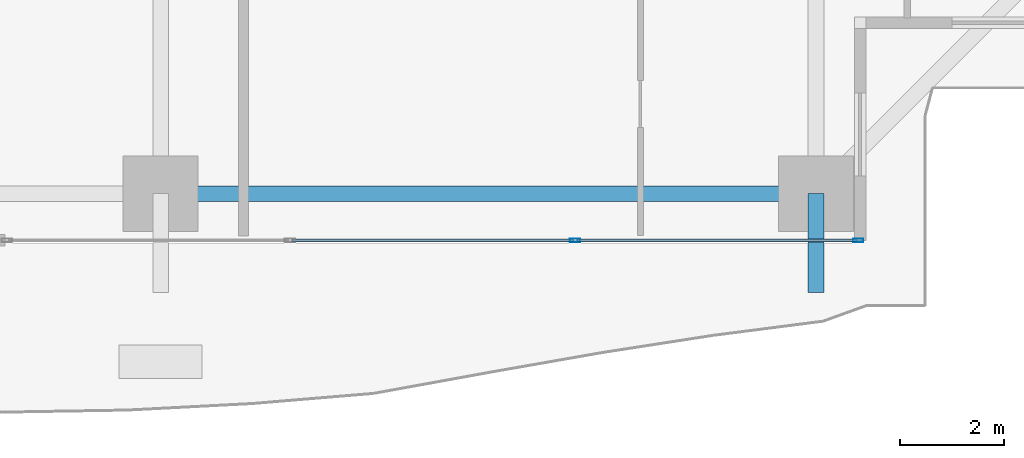
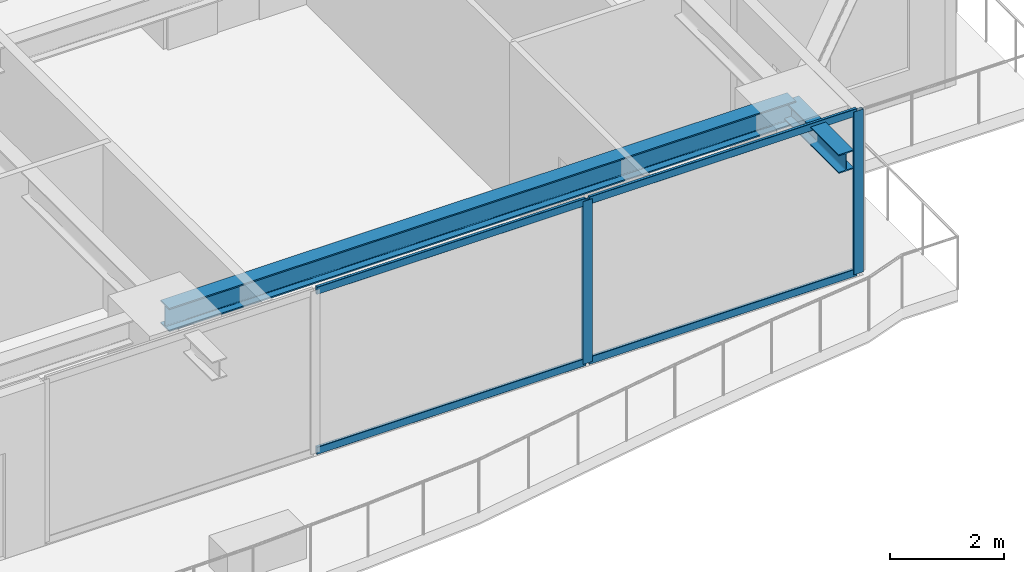
# One storey, part 11 of 39: 6 members, 2 beams, 1 element without a shape of its own.
"""IFC4 building model written with IfcOpenShell, lengths in metres."""

from ifc_helpers import new_model, si_unit, direction, frame, origin, origin_2d, place, context, subcontext, project, spatial, hollow_rectangle, i_section, extrude, source, transform, mapped, material, layer, layer_set, material_profile, profile_set, type_object, element, aggregate, save


model = new_model("IFC4")

# Units and contexts
model_context = context("Model", 3, precision=1e-05, world=origin(), true_north=direction((0.0, 1.0)))
body_context = subcontext(model_context, "Body", "Model", "MODEL_VIEW")
ifc_project = project(units=[si_unit("LENGTHUNIT", "METRE"), si_unit("AREAUNIT", "SQUARE_METRE"), si_unit("VOLUMEUNIT", "CUBIC_METRE"), si_unit("PLANEANGLEUNIT", "RADIAN"), si_unit("MASSUNIT", "GRAM", prefix="KILO")], contexts=[model_context])

# Site, building, storey
site_placement = place(None, origin())
site = spatial("IfcSite", under=ifc_project, at=site_placement, CompositionType="ELEMENT")
building_placement = place(site_placement, origin())
building = spatial("IfcBuilding", under=site, at=building_placement, Name="Serunith Strait Residences", CompositionType="ELEMENT")
storey_placement = place(building_placement, frame((0.0, 0.0, 64.199951171875)))
storey = spatial("IfcBuildingStorey", under=building, at=storey_placement, Name="L15", CompositionType="ELEMENT", Elevation=64.199951171875)

# Beams
ifc_material_1 = material(Name="Steel S355J2", Category="steel")
ifc_material_profile_1 = material_profile(ifc_material_1, i_section(OverallWidth=0.300048828125, OverallDepth=0.5, WebThickness=0.014404296875, FlangeThickness=0.028076171875, FilletRadius=0.027099609375, at=origin_2d()), Name="HEB 500")
ifc_profile_set_1 = profile_set([ifc_material_profile_1], Name="Steel S355J2")
beam_type_1 = type_object("IfcBeamType", Name="BM-HEB500", PredefinedType="BEAM", material=ifc_profile_set_1)
shared_shape_1 = source(origin(), body_context, "Body", "SweptSolid", [
    extrude(i_section(OverallWidth=0.300048828125, OverallDepth=0.5, WebThickness=0.014404296875, FlangeThickness=0.028076171875, FilletRadius=0.027099609375, at=origin_2d()), origin(), (0.0, 0.0, 1.0), 12.650146484375),
])
beam_1_placement = place(storey_placement, frame((36.89990234375, 1.10009765625, 3.237060546875), z_axis=(1.0, 0.0, 0.0), x_axis=(0.0, 1.0, 0.0)))
element("IfcBeam", 1, at=beam_1_placement, inside=storey, type_object=beam_type_1, Name="L15 Perimeter Ring Beam 03", PredefinedType="BEAM", context=body_context, shape_type="MappedRepresentation", body=[
    mapped(shared_shape_1, transform((0.0, 0.0, 0.0), scale=1.0)),
])
ifc_material_profile_2 = material_profile(ifc_material_1, i_section(OverallWidth=0.300048828125, OverallDepth=0.39990234375, WebThickness=0.013427734375, FlangeThickness=0.02392578125, FilletRadius=0.027099609375, at=origin_2d()), Name="HEB 400")
ifc_profile_set_2 = profile_set([ifc_material_profile_2], Name="Steel S355J2")
beam_type_2 = type_object("IfcBeamType", Name="BM-HEB400", PredefinedType="BEAM", material=ifc_profile_set_2)
shared_shape_2 = source(origin(), body_context, "Body", "SweptSolid", [
    extrude(i_section(OverallWidth=0.300048828125, OverallDepth=0.39990234375, WebThickness=0.013427734375, FlangeThickness=0.02392578125, FilletRadius=0.027099609375, at=origin_2d()), origin(), (0.0, 0.0, 1.0), 1.91015625),
])
beam_2_placement = place(storey_placement, frame((49.550048828125, 1.10009765625, 3.257080078125), z_axis=(0.0, -1.0, 0.0), x_axis=(1.0, 0.0, 0.0)))
element("IfcBeam", 2, at=beam_2_placement, inside=storey, type_object=beam_type_2, Name="L16 Cantilevered Balcony Rib TC-S4", PredefinedType="BEAM", context=body_context, shape_type="MappedRepresentation", body=[
    mapped(shared_shape_2, transform((0.0, 0.0, 0.0), scale=1.0)),
])

# Curtain wall, members
ifc_material_2 = material(Name="Pale-Champagne Anodised Aluminium", Category="aluminium")
ifc_layer = layer(ifc_material_2, 0.199951171875, Name="Pale-Champagne Anodised Aluminium")
ifc_layer_set = layer_set([ifc_layer], Name="Pale-Champagne Anodised Aluminium")
curtain_wall_type = type_object("IfcCurtainWallType", Name="CW-SYS1", PredefinedType="NOTDEFINED", material=ifc_layer_set)
curtain_wall_placement = place(storey_placement, origin())
curtain_wall = element("IfcCurtainWall", 3, at=curtain_wall_placement, inside=storey, type_object=curtain_wall_type, Name="L15 S Unitised Fritted Curtain Wall", PredefinedType="NOTDEFINED")
ifc_material_profile_3 = material_profile(ifc_material_2, hollow_rectangle(XDim=0.070068359375, YDim=0.199951171875, WallThickness=0.00390625, InnerFilletRadius=0.006103515625, OuterFilletRadius=0.010009765625, at=origin_2d()), Name="ALU 200x70x4")
ifc_profile_set_3 = profile_set([ifc_material_profile_3], Name="Pale-Champagne Anodised Aluminium")
member_type_1 = type_object("IfcMemberType", Name="CW-SYS1-MULL", PredefinedType="MULLION", material=ifc_profile_set_3)
shared_shape_3 = source(origin(), body_context, "Body", "SweptSolid", [
    extrude(hollow_rectangle(XDim=0.070068359375, YDim=0.199951171875, WallThickness=0.00390625, InnerFilletRadius=0.006103515625, OuterFilletRadius=0.010009765625, at=origin_2d()), origin(), (0.0, 0.0, 1.0), 3.47509765625),
])
member_1_placement = place(storey_placement, frame((44.89990234375, 0.199951171875, 0.0), z_axis=(0.0, 0.0, 1.0), x_axis=(0.0, 1.0, 0.0)))
member_1 = element("IfcMember", 4, at=member_1_placement, type_object=member_type_1, Name="CW-1 mullion 3", PredefinedType="MULLION", context=body_context, shape_type="MappedRepresentation", body=[
    mapped(shared_shape_3, transform((0.0, 0.0, 0.0), scale=1.0)),
])
member_2_placement = place(storey_placement, frame((50.364990234375, 0.199951171875, 0.0), z_axis=(0.0, 0.0, 1.0), x_axis=(0.0, 1.0, 0.0)))
member_2 = element("IfcMember", 5, at=member_2_placement, type_object=member_type_1, Name="CW-1 mullion 4", PredefinedType="MULLION", context=body_context, shape_type="MappedRepresentation", body=[
    mapped(shared_shape_3, transform((0.0, 0.0, 0.0), scale=1.0)),
])
ifc_material_profile_4 = material_profile(ifc_material_2, hollow_rectangle(XDim=0.06005859375, YDim=0.159912109375, WallThickness=0.00341796875, InnerFilletRadius=0.00537109375, OuterFilletRadius=0.0087890625, at=origin_2d()), Name="ALU 160x60x3.5")
ifc_profile_set_4 = profile_set([ifc_material_profile_4], Name="Pale-Champagne Anodised Aluminium")
member_type_2 = type_object("IfcMemberType", Name="CW-SYS1-TRAN", PredefinedType="USERDEFINED", material=ifc_profile_set_4)
shared_shape_4 = source(origin(), body_context, "Body", "SweptSolid", [
    extrude(hollow_rectangle(XDim=0.06005859375, YDim=0.159912109375, WallThickness=0.00341796875, InnerFilletRadius=0.00537109375, OuterFilletRadius=0.0087890625, at=origin_2d()), origin(), (0.0, 0.0, 1.0), 5.39501953125),
])
member_3_placement = place(storey_placement, frame((44.93505859375, 0.199951171875, 0.030029296875), z_axis=(1.0, 0.0, 0.0), x_axis=(0.0, 1.0, 0.0)))
member_3 = element("IfcMember", 6, at=member_3_placement, type_object=member_type_2, Name="CW-1 transom 3.1", ObjectType="TRANSOM", PredefinedType="USERDEFINED", context=body_context, shape_type="MappedRepresentation", body=[
    mapped(shared_shape_4, transform((0.0, 0.0, 0.0), scale=1.0)),
])
member_4_placement = place(storey_placement, frame((44.93505859375, 0.199951171875, 3.445068359375), z_axis=(1.0, 0.0, 0.0), x_axis=(0.0, 1.0, 0.0)))
member_4 = element("IfcMember", 7, at=member_4_placement, type_object=member_type_2, Name="CW-1 transom 3.2", ObjectType="TRANSOM", PredefinedType="USERDEFINED", context=body_context, shape_type="MappedRepresentation", body=[
    mapped(shared_shape_4, transform((0.0, 0.0, 0.0), scale=1.0)),
])
shared_shape_5 = source(origin(), body_context, "Body", "SweptSolid", [
    extrude(hollow_rectangle(XDim=0.06005859375, YDim=0.159912109375, WallThickness=0.00341796875, InnerFilletRadius=0.00537109375, OuterFilletRadius=0.0087890625, at=origin_2d()), origin(), (0.0, 0.0, 1.0), 5.429931640625),
])
member_5_placement = place(storey_placement, frame((39.43505859375, 0.199951171875, 0.030029296875), z_axis=(1.0, 0.0, 0.0), x_axis=(0.0, 1.0, 0.0)))
member_5 = element("IfcMember", 8, at=member_5_placement, type_object=member_type_2, Name="CW-1 transom 2.1", ObjectType="TRANSOM", PredefinedType="USERDEFINED", context=body_context, shape_type="MappedRepresentation", body=[
    mapped(shared_shape_5, transform((0.0, 0.0, 0.0), scale=1.0)),
])
member_6_placement = place(storey_placement, frame((39.43505859375, 0.199951171875, 3.445068359375), z_axis=(1.0, 0.0, 0.0), x_axis=(0.0, 1.0, 0.0)))
member_6 = element("IfcMember", 9, at=member_6_placement, type_object=member_type_2, Name="CW-1 transom 2.2", ObjectType="TRANSOM", PredefinedType="USERDEFINED", context=body_context, shape_type="MappedRepresentation", body=[
    mapped(shared_shape_5, transform((0.0, 0.0, 0.0), scale=1.0)),
])
aggregate(curtain_wall, [member_1, member_2, member_5, member_6, member_3, member_4])

save(model, "model.ifc")
